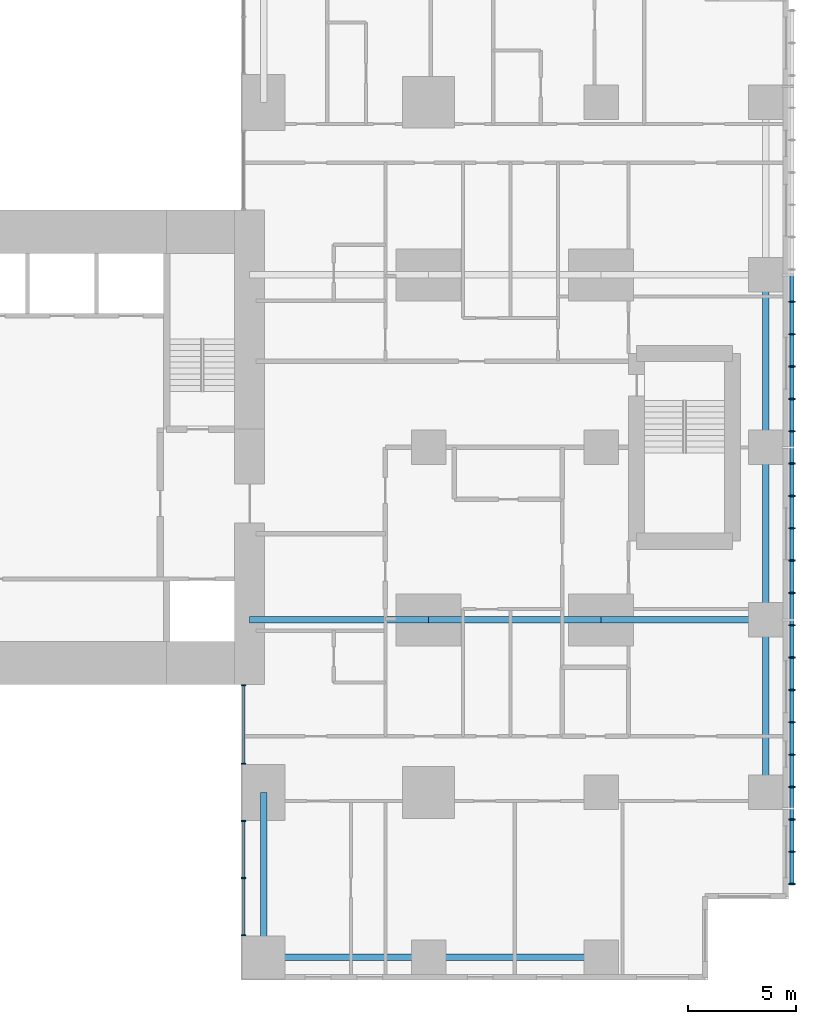
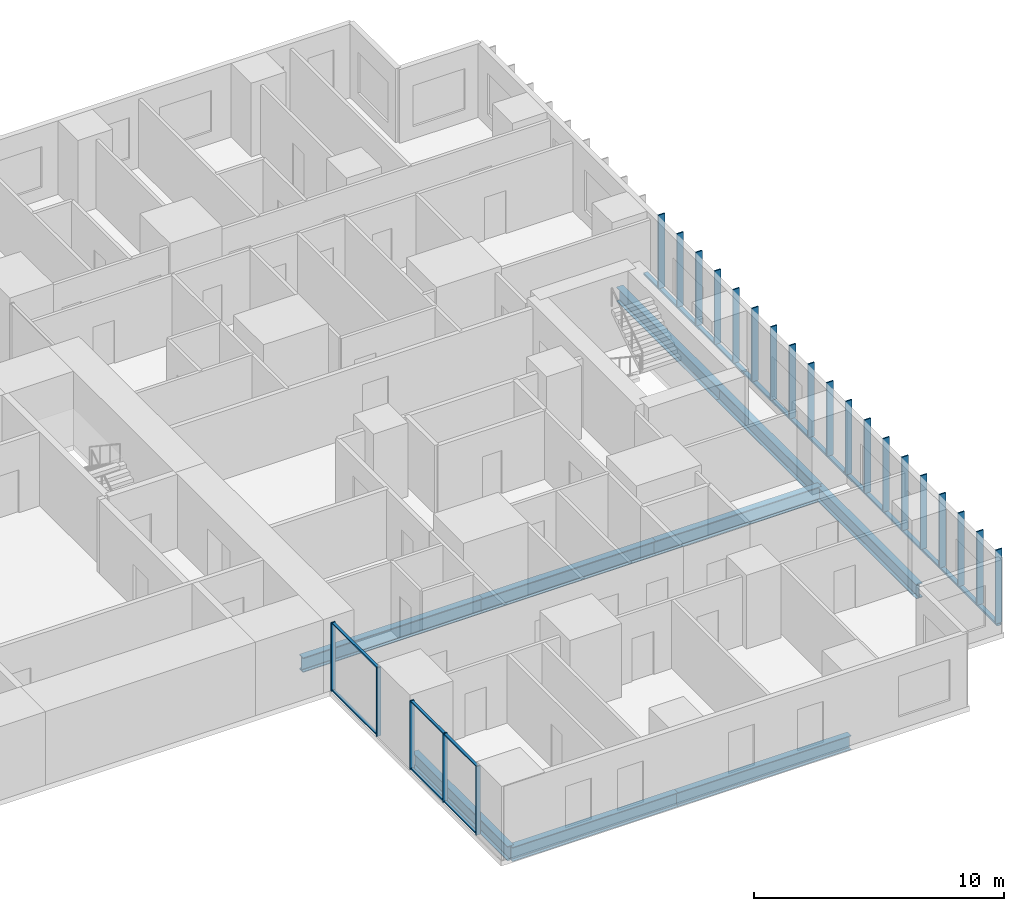
# One storey, part 2 of 12: 33 members, 9 beams, 2 elements without a shape of their own.
"""IFC4 building model written with IfcOpenShell, lengths in metres."""

from ifc_helpers import new_model, si_unit, direction, frame, origin, origin_2d, place, context, subcontext, project, spatial, rectangle, hollow_rectangle, i_section, extrude, material, layer, layer_set, material_profile, profile_set, type_object, element, aggregate, save


model = new_model("IFC4")

# Units and contexts
model_context = context("Model", 3, precision=1e-05, world=origin(), true_north=direction((0.0, 1.0)))
body_context = subcontext(model_context, "Body", "Model", "MODEL_VIEW")
ifc_project = project(units=[si_unit("LENGTHUNIT", "METRE"), si_unit("AREAUNIT", "SQUARE_METRE"), si_unit("VOLUMEUNIT", "CUBIC_METRE"), si_unit("PLANEANGLEUNIT", "RADIAN"), si_unit("MASSUNIT", "GRAM", prefix="KILO")], contexts=[model_context])

# Site, building, storey
site_placement = place(None, origin())
site = spatial("IfcSite", under=ifc_project, at=site_placement, CompositionType="ELEMENT")
building_placement = place(site_placement, origin())
building = spatial("IfcBuilding", under=site, at=building_placement, Name="Cleftline Residences", CompositionType="ELEMENT")
storey_placement = place(building_placement, frame((0.0, 0.0, 266.39990234375)))
storey = spatial("IfcBuildingStorey", under=building, at=storey_placement, Name="L70", CompositionType="ELEMENT", Elevation=266.39990234375)

# Members
ifc_material_1 = material(Name="Steel S355, hot-dip galvanised", Category="steel")
ifc_material_profile_1 = material_profile(ifc_material_1, hollow_rectangle(XDim=0.10009765625, YDim=0.199951171875, WallThickness=0.008056640625, InnerFilletRadius=0.008056640625, OuterFilletRadius=0.011962890625, at=origin_2d()))
ifc_profile_set_1 = profile_set([ifc_material_profile_1], Name="Steel S355, hot-dip galvanised")
member_type_1 = type_object("IfcMemberType", Name="BAGUETTE CARRIER RHS 200X100X8", PredefinedType="USERDEFINED", material=ifc_profile_set_1)
member_1_placement = place(storey_placement, frame((66.85009765625, 3.699951171875, -0.0498046875), z_axis=(0.0, 1.0, 0.0), x_axis=(0.0, 0.0, 1.0)))
element("IfcMember", 1, at=member_1_placement, inside=storey, type_object=member_type_1, Name="Baguette carrier", ObjectType="BAGUETTE CARRIER", PredefinedType="USERDEFINED", context=body_context, shape_type="SweptSolid", body=[
    extrude(hollow_rectangle(XDim=0.10009765625, YDim=0.199951171875, WallThickness=0.008056640625, InnerFilletRadius=0.008056640625, OuterFilletRadius=0.011962890625, at=origin_2d()), origin(), (0.0, 0.0, 1.0), 12.300048828125),
])
for number, where, z_axis, x_axis, name in (
    (2, (66.85009765625, 16.0, -0.0498046875), (0.0, 1.0, 0.0), (0.0, 0.0, 1.0), "Baguette carrier"),
    (3, (66.85009765625, 24.0, -0.0498046875), (0.0, 1.0, 0.0), (0.0, 0.0, 1.0), "Baguette carrier"),
):
    element("IfcMember", number, at=place(storey_placement, frame(where, z_axis=z_axis, x_axis=x_axis)), inside=storey, type_object=member_type_1, Name=name, ObjectType="BAGUETTE CARRIER", PredefinedType="USERDEFINED", context=body_context, shape_type="SweptSolid", body=[
        extrude(hollow_rectangle(XDim=0.10009765625, YDim=0.199951171875, WallThickness=0.008056640625, InnerFilletRadius=0.008056640625, OuterFilletRadius=0.011962890625, at=origin_2d()), origin(), (0.0, 0.0, 1.0), 8.0),
    ])

# Beams
ifc_material_2 = material(Name="Steel S355", Category="steel")
ifc_material_profile_2 = material_profile(ifc_material_2, i_section(OverallWidth=0.300048828125, OverallDepth=0.699951171875, WebThickness=0.01708984375, FlangeThickness=0.031982421875, FilletRadius=0.027099609375, at=origin_2d()))
ifc_profile_set_2 = profile_set([ifc_material_profile_2], Name="Steel S355")
beam_type_1 = type_object("IfcBeamType", Name="BEAM HEB 700", PredefinedType="BEAM", material=ifc_profile_set_2)
for number, where, z_axis, x_axis, name in (
    (4, (65.64990234375, 8.0, -0.599853515625), (0.0, 1.0, 0.0), (-1.0, 0.0, 0.0), "Edge beam"),
    (5, (65.64990234375, 16.0, -0.599853515625), (0.0, 1.0, 0.0), (-1.0, 0.0, 0.0), "Edge beam"),
    (6, (65.64990234375, 24.0, -0.599853515625), (0.0, 1.0, 0.0), (-1.0, 0.0, 0.0), "Edge beam"),
    (7, (58.0, 0.35009765625, -0.599853515625), (-1.0, 0.0, 0.0), (0.0, -1.0, 0.0), "Edge beam"),
):
    element("IfcBeam", number, at=place(storey_placement, frame(where, z_axis=z_axis, x_axis=x_axis)), inside=storey, type_object=beam_type_1, Name=name, PredefinedType="BEAM", context=body_context, shape_type="SweptSolid", body=[
        extrude(i_section(OverallWidth=0.300048828125, OverallDepth=0.699951171875, WebThickness=0.01708984375, FlangeThickness=0.031982421875, FilletRadius=0.027099609375, at=origin_2d()), origin(), (0.0, 0.0, 1.0), 8.0),
    ])
for number, where, z_axis, x_axis, name in (
    (8, (50.0, 0.35009765625, -0.599853515625), (-1.0, 0.0, 0.0), (0.0, -1.0, 0.0), "Edge beam"),
    (9, (42.35009765625, 0.35009765625, -0.599853515625), (0.0, 1.0, 0.0), (-1.0, 0.0, 0.0), "Edge beam"),
):
    element("IfcBeam", number, at=place(storey_placement, frame(where, z_axis=z_axis, x_axis=x_axis)), inside=storey, type_object=beam_type_1, Name=name, PredefinedType="BEAM", context=body_context, shape_type="SweptSolid", body=[
        extrude(i_section(OverallWidth=0.300048828125, OverallDepth=0.699951171875, WebThickness=0.01708984375, FlangeThickness=0.031982421875, FilletRadius=0.027099609375, at=origin_2d()), origin(), (0.0, 0.0, 1.0), 7.64990234375),
    ])
ifc_material_3 = material(Name="Steel S355", Category="steel")
ifc_material_profile_3 = material_profile(ifc_material_3, i_section(OverallWidth=0.303955078125, OverallDepth=0.716064453125, WebThickness=0.02099609375, FlangeThickness=0.0400390625, FilletRadius=0.027099609375, at=origin_2d()))
ifc_profile_set_3 = profile_set([ifc_material_profile_3], Name="Steel S355")
beam_type_2 = type_object("IfcBeamType", Name="BEAM HEM 700", PredefinedType="BEAM", material=ifc_profile_set_3)
beam_1_placement = place(storey_placement, frame((65.64990234375, 16.0, -0.60791015625), z_axis=(-1.0, 0.0, 0.0), x_axis=(0.0, -1.0, 0.0)))
element("IfcBeam", 10, at=beam_1_placement, inside=storey, type_object=beam_type_2, Name="Band beam", PredefinedType="BEAM", context=body_context, shape_type="SweptSolid", body=[
    extrude(i_section(OverallWidth=0.303955078125, OverallDepth=0.716064453125, WebThickness=0.02099609375, FlangeThickness=0.0400390625, FilletRadius=0.027099609375, at=origin_2d()), origin(), (0.0, 0.0, 1.0), 7.64990234375),
])
beam_2_placement = place(storey_placement, frame((58.0, 16.0, -0.60791015625), z_axis=(-1.0, 0.0, 0.0), x_axis=(0.0, -1.0, 0.0)))
element("IfcBeam", 11, at=beam_2_placement, inside=storey, type_object=beam_type_2, Name="Band beam", PredefinedType="BEAM", context=body_context, shape_type="SweptSolid", body=[
    extrude(i_section(OverallWidth=0.303955078125, OverallDepth=0.716064453125, WebThickness=0.02099609375, FlangeThickness=0.0400390625, FilletRadius=0.027099609375, at=origin_2d()), origin(), (0.0, 0.0, 1.0), 8.0),
])
beam_3_placement = place(storey_placement, frame((50.0, 16.0, -0.60791015625), z_axis=(-1.0, 0.0, 0.0), x_axis=(0.0, -1.0, 0.0)))
element("IfcBeam", 12, at=beam_3_placement, inside=storey, type_object=beam_type_2, Name="Band beam", PredefinedType="BEAM", context=body_context, shape_type="SweptSolid", body=[
    extrude(i_section(OverallWidth=0.303955078125, OverallDepth=0.716064453125, WebThickness=0.02099609375, FlangeThickness=0.0400390625, FilletRadius=0.027099609375, at=origin_2d()), origin(), (0.0, 0.0, 1.0), 8.300048828125),
])

# Curtain wall, members
ifc_material_4 = material(Name="Aluminium framed curtain wall", Category="aluminium")
ifc_layer = layer(ifc_material_4, 0.199951171875)
ifc_layer_set = layer_set([ifc_layer], Name="CW1 CLEFT GLAZING")
curtain_wall_type = type_object("IfcCurtainWallType", Name="CW1 CLEFT GLAZING", PredefinedType="NOTDEFINED", material=ifc_layer_set)
curtain_wall_1_placement = place(storey_placement, origin())
curtain_wall_1 = element("IfcCurtainWall", 13, at=curtain_wall_1_placement, inside=storey, type_object=curtain_wall_type, Name="Curtain wall CW1", PredefinedType="NOTDEFINED")
ifc_material_5 = material(Name="Aluminium mullion", Category="aluminium")
ifc_material_profile_4 = material_profile(ifc_material_5, rectangle(XDim=0.199951171875, YDim=0.06005859375, at=origin_2d()))
ifc_profile_set_4 = profile_set([ifc_material_profile_4], Name="Aluminium mullion")
member_type_2 = type_object("IfcMemberType", Name="CW1 MULLION", PredefinedType="MULLION", material=ifc_profile_set_4)
member_2_placement = place(storey_placement, frame((41.425048828125, 12.969970703125, 0.0), z_axis=(0.0, 0.0, 1.0), x_axis=(1.0, 0.0, 0.0)))
member_2 = element("IfcMember", 14, at=member_2_placement, type_object=member_type_2, Name="CW1 mullion 1", PredefinedType="MULLION", context=body_context, shape_type="SweptSolid", body=[
    extrude(rectangle(XDim=0.199951171875, YDim=0.06005859375, at=origin_2d()), origin(), (0.0, 0.0, 1.0), 3.35009765625),
])
member_3_placement = place(storey_placement, frame((41.425048828125, 9.330078125, 0.0), z_axis=(0.0, 0.0, 1.0), x_axis=(1.0, 0.0, 0.0)))
member_3 = element("IfcMember", 15, at=member_3_placement, type_object=member_type_2, Name="CW1 mullion 2", PredefinedType="MULLION", context=body_context, shape_type="SweptSolid", body=[
    extrude(rectangle(XDim=0.199951171875, YDim=0.06005859375, at=origin_2d()), origin(), (0.0, 0.0, 1.0), 3.35009765625),
])

curtain_wall_2_placement = place(storey_placement, origin())
curtain_wall_2 = element("IfcCurtainWall", 16, at=curtain_wall_2_placement, inside=storey, type_object=curtain_wall_type, Name="Curtain wall CW1", PredefinedType="NOTDEFINED")
member_4_placement = place(storey_placement, frame((41.425048828125, 6.669921875, 0.0), z_axis=(0.0, 0.0, 1.0), x_axis=(1.0, 0.0, 0.0)))
member_4 = element("IfcMember", 17, at=member_4_placement, type_object=member_type_2, Name="CW1 mullion 1", PredefinedType="MULLION", context=body_context, shape_type="SweptSolid", body=[
    extrude(rectangle(XDim=0.199951171875, YDim=0.06005859375, at=origin_2d()), origin(), (0.0, 0.0, 1.0), 3.35009765625),
])
member_5_placement = place(storey_placement, frame((41.425048828125, 4.02490234375, 0.0), z_axis=(0.0, 0.0, 1.0), x_axis=(1.0, 0.0, 0.0)))
member_5 = element("IfcMember", 18, at=member_5_placement, type_object=member_type_2, Name="CW1 mullion 2", PredefinedType="MULLION", context=body_context, shape_type="SweptSolid", body=[
    extrude(rectangle(XDim=0.199951171875, YDim=0.06005859375, at=origin_2d()), origin(), (0.0, 0.0, 1.0), 3.35009765625),
])
member_6_placement = place(storey_placement, frame((41.425048828125, 1.3798828125, 0.0), z_axis=(0.0, 0.0, 1.0), x_axis=(1.0, 0.0, 0.0)))
member_6 = element("IfcMember", 19, at=member_6_placement, type_object=member_type_2, Name="CW1 mullion 3", PredefinedType="MULLION", context=body_context, shape_type="SweptSolid", body=[
    extrude(rectangle(XDim=0.199951171875, YDim=0.06005859375, at=origin_2d()), origin(), (0.0, 0.0, 1.0), 3.35009765625),
])

# Member
ifc_material_6 = material(Name="Aluminium transom", Category="aluminium")
ifc_material_profile_5 = material_profile(ifc_material_6, rectangle(XDim=0.1201171875, YDim=0.06005859375, at=origin_2d()))
ifc_profile_set_5 = profile_set([ifc_material_profile_5], Name="Aluminium transom")
member_type_3 = type_object("IfcMemberType", Name="CW1 TRANSOM", PredefinedType="USERDEFINED", material=ifc_profile_set_5)
member_7_placement = place(storey_placement, frame((41.425048828125, 12.93994140625, 0.030029296875), z_axis=(0.0, -1.0, 0.0), x_axis=(1.0, 0.0, 0.0)))
member_7 = element("IfcMember", 20, at=member_7_placement, type_object=member_type_3, Name="CW1 transom 1.1", ObjectType="TRANSOM", PredefinedType="USERDEFINED", context=body_context, shape_type="SweptSolid", body=[
    extrude(rectangle(XDim=0.1201171875, YDim=0.06005859375, at=origin_2d()), origin(), (0.0, 0.0, 1.0), 3.579833984375),
])

member_8_placement = place(storey_placement, frame((41.425048828125, 12.93994140625, 3.320068359375), z_axis=(0.0, -1.0, 0.0), x_axis=(1.0, 0.0, 0.0)))
member_8 = element("IfcMember", 21, at=member_8_placement, type_object=member_type_3, Name="CW1 transom 1.2", ObjectType="TRANSOM", PredefinedType="USERDEFINED", context=body_context, shape_type="SweptSolid", body=[
    extrude(rectangle(XDim=0.1201171875, YDim=0.06005859375, at=origin_2d()), origin(), (0.0, 0.0, 1.0), 3.579833984375),
])

aggregate(curtain_wall_1, [member_2, member_3, member_7, member_8])

member_9_placement = place(storey_placement, frame((41.425048828125, 6.639892578125, 0.030029296875), z_axis=(0.0, -1.0, 0.0), x_axis=(1.0, 0.0, 0.0)))
member_9 = element("IfcMember", 22, at=member_9_placement, type_object=member_type_3, Name="CW1 transom 1.1", ObjectType="TRANSOM", PredefinedType="USERDEFINED", context=body_context, shape_type="SweptSolid", body=[
    extrude(rectangle(XDim=0.1201171875, YDim=0.06005859375, at=origin_2d()), origin(), (0.0, 0.0, 1.0), 2.5849609375),
])

member_10_placement = place(storey_placement, frame((41.425048828125, 6.639892578125, 3.320068359375), z_axis=(0.0, -1.0, 0.0), x_axis=(1.0, 0.0, 0.0)))
member_10 = element("IfcMember", 23, at=member_10_placement, type_object=member_type_3, Name="CW1 transom 1.2", ObjectType="TRANSOM", PredefinedType="USERDEFINED", context=body_context, shape_type="SweptSolid", body=[
    extrude(rectangle(XDim=0.1201171875, YDim=0.06005859375, at=origin_2d()), origin(), (0.0, 0.0, 1.0), 2.5849609375),
])

member_11_placement = place(storey_placement, frame((41.425048828125, 3.9951171875, 0.030029296875), z_axis=(0.0, -1.0, 0.0), x_axis=(1.0, 0.0, 0.0)))
member_11 = element("IfcMember", 24, at=member_11_placement, type_object=member_type_3, Name="CW1 transom 2.1", ObjectType="TRANSOM", PredefinedType="USERDEFINED", context=body_context, shape_type="SweptSolid", body=[
    extrude(rectangle(XDim=0.1201171875, YDim=0.06005859375, at=origin_2d()), origin(), (0.0, 0.0, 1.0), 2.585205078125),
])

member_12_placement = place(storey_placement, frame((41.425048828125, 3.9951171875, 3.320068359375), z_axis=(0.0, -1.0, 0.0), x_axis=(1.0, 0.0, 0.0)))
member_12 = element("IfcMember", 25, at=member_12_placement, type_object=member_type_3, Name="CW1 transom 2.2", ObjectType="TRANSOM", PredefinedType="USERDEFINED", context=body_context, shape_type="SweptSolid", body=[
    extrude(rectangle(XDim=0.1201171875, YDim=0.06005859375, at=origin_2d()), origin(), (0.0, 0.0, 1.0), 2.585205078125),
])

aggregate(curtain_wall_2, [member_4, member_5, member_6, member_9, member_10, member_11, member_12])

# Members
ifc_material_7 = material(Name="Extruded terracotta", Category="masonry")
ifc_material_profile_6 = material_profile(ifc_material_7, rectangle(XDim=0.06005859375, YDim=0.300048828125, at=origin_2d()))
ifc_profile_set_6 = profile_set([ifc_material_profile_6], Name="Extruded terracotta")
member_type_4 = type_object("IfcMemberType", Name="TERRACOTTA BAGUETTE 60X300", PredefinedType="USERDEFINED", material=ifc_profile_set_6)
for number, where, z_axis, x_axis, name in (
    (26, (66.85009765625, 3.75, 0.0), (0.0, 0.0, 1.0), (0.0, 1.0, 0.0), "Terracotta baguette"),
    (27, (66.85009765625, 5.25, 0.0), (0.0, 0.0, 1.0), (0.0, 1.0, 0.0), "Terracotta baguette"),
    (28, (66.85009765625, 6.75, 0.0), (0.0, 0.0, 1.0), (0.0, 1.0, 0.0), "Terracotta baguette"),
    (29, (66.85009765625, 8.25, 0.0), (0.0, 0.0, 1.0), (0.0, 1.0, 0.0), "Terracotta baguette"),
    (30, (66.85009765625, 9.75, 0.0), (0.0, 0.0, 1.0), (0.0, 1.0, 0.0), "Terracotta baguette"),
    (31, (66.85009765625, 11.25, 0.0), (0.0, 0.0, 1.0), (0.0, 1.0, 0.0), "Terracotta baguette"),
    (32, (66.85009765625, 12.75, 0.0), (0.0, 0.0, 1.0), (0.0, 1.0, 0.0), "Terracotta baguette"),
    (33, (66.85009765625, 14.25, 0.0), (0.0, 0.0, 1.0), (0.0, 1.0, 0.0), "Terracotta baguette"),
    (34, (66.85009765625, 15.75, 0.0), (0.0, 0.0, 1.0), (0.0, 1.0, 0.0), "Terracotta baguette"),
    (35, (66.85009765625, 17.25, 0.0), (0.0, 0.0, 1.0), (0.0, 1.0, 0.0), "Terracotta baguette"),
    (36, (66.85009765625, 18.75, 0.0), (0.0, 0.0, 1.0), (0.0, 1.0, 0.0), "Terracotta baguette"),
    (37, (66.85009765625, 20.25, 0.0), (0.0, 0.0, 1.0), (0.0, 1.0, 0.0), "Terracotta baguette"),
    (38, (66.85009765625, 21.75, 0.0), (0.0, 0.0, 1.0), (0.0, 1.0, 0.0), "Terracotta baguette"),
    (39, (66.85009765625, 23.25, 0.0), (0.0, 0.0, 1.0), (0.0, 1.0, 0.0), "Terracotta baguette"),
    (40, (66.85009765625, 24.75, 0.0), (0.0, 0.0, 1.0), (0.0, 1.0, 0.0), "Terracotta baguette"),
    (41, (66.85009765625, 26.25, 0.0), (0.0, 0.0, 1.0), (0.0, 1.0, 0.0), "Terracotta baguette"),
    (42, (66.85009765625, 27.75, 0.0), (0.0, 0.0, 1.0), (0.0, 1.0, 0.0), "Terracotta baguette"),
    (43, (66.85009765625, 29.25, 0.0), (0.0, 0.0, 1.0), (0.0, 1.0, 0.0), "Terracotta baguette"),
    (44, (66.85009765625, 30.75, 0.0), (0.0, 0.0, 1.0), (0.0, 1.0, 0.0), "Terracotta baguette"),
):
    element("IfcMember", number, at=place(storey_placement, frame(where, z_axis=z_axis, x_axis=x_axis)), inside=storey, type_object=member_type_4, Name=name, ObjectType="BAGUETTE", PredefinedType="USERDEFINED", context=body_context, shape_type="SweptSolid", body=[
        extrude(rectangle(XDim=0.06005859375, YDim=0.300048828125, at=origin_2d()), origin(), (0.0, 0.0, 1.0), 3.60009765625),
    ])

save(model, "model.ifc")
